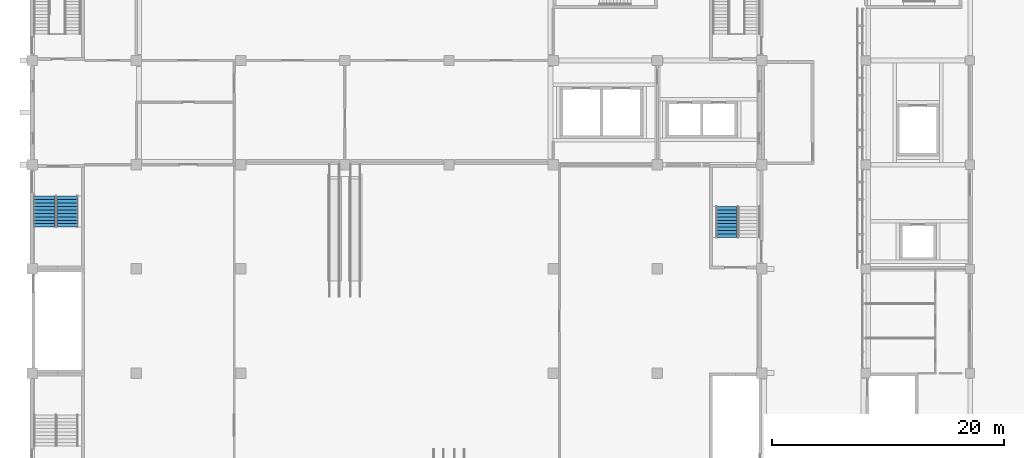
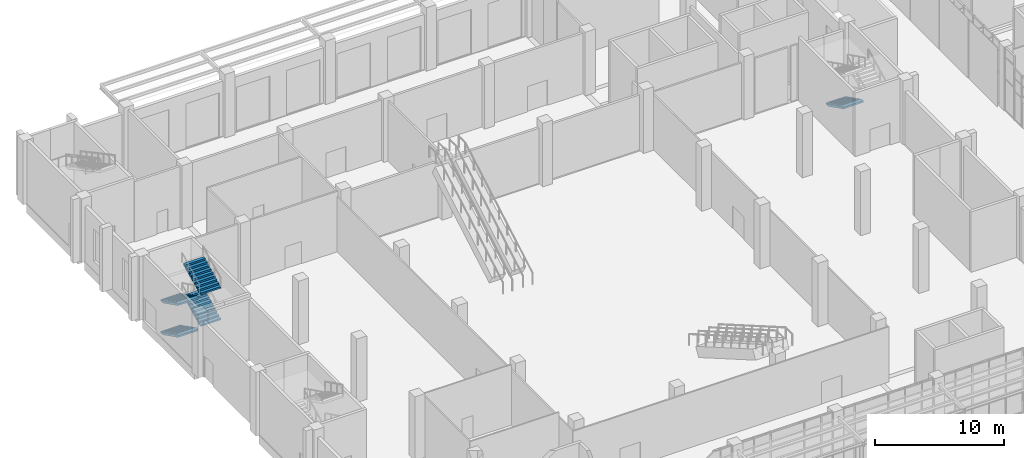
# One storey, part 71 of 86: 5 stair flights, 2 elements without a shape of their own.
"""IFC4 building model written with IfcOpenShell, lengths in metres."""

from ifc_helpers import new_model, si_unit, direction, frame, origin, place, context, subcontext, project, spatial, faceted_brep, material, type_object, element, aggregate, save


model = new_model("IFC4")

# Units and contexts
model_context = context("Model", 3, precision=1e-05, world=origin(), true_north=direction((0.0, 1.0)))
body_context = subcontext(model_context, "Body", "Model", "MODEL_VIEW")
ifc_project = project(units=[si_unit("LENGTHUNIT", "METRE"), si_unit("AREAUNIT", "SQUARE_METRE"), si_unit("VOLUMEUNIT", "CUBIC_METRE"), si_unit("PLANEANGLEUNIT", "RADIAN"), si_unit("MASSUNIT", "GRAM", prefix="KILO")], contexts=[model_context])

# Site, building, storey
site_placement = place(None, origin())
site = spatial("IfcSite", under=ifc_project, at=site_placement, CompositionType="ELEMENT")
building_placement = place(site_placement, origin())
building = spatial("IfcBuilding", under=site, at=building_placement, Name="Guidao Yard Department Store", CompositionType="ELEMENT")
storey_placement = place(building_placement, origin())
storey = spatial("IfcBuildingStorey", under=building, at=storey_placement, Name="L00", CompositionType="ELEMENT", Elevation=0.0)

# Stair, stair flights
ifc_material_1 = material(Name="Concrete C35", Category="concrete")
stair_type = type_object("IfcStairType", Name="Stair double-return four-flight 1800 wide 6.0 m rise", PredefinedType="DOUBLE_RETURN_STAIR", material=ifc_material_1)
stair_1_placement = place(storey_placement, origin())
stair_1 = element("IfcStair", 1, at=stair_1_placement, inside=storey, type_object=stair_type, Name="Stair A3 L00 to L01", PredefinedType="DOUBLE_RETURN_STAIR")
ifc_material_2 = material(Name="Concrete C35", Category="concrete")
stair_flight_type = type_object("IfcStairFlightType", Name="Stair flight RC straight 1800 wide 10 risers x 300 going C35", PredefinedType="STRAIGHT", material=ifc_material_2)
stair_flight_1_placement = place(storey_placement, frame((1.02490234375, 87.300048828125, 0.0), z_axis=(0.0, 0.0, 1.0), x_axis=(0.0, -1.0, 0.0)))
stair_flight_1 = element("IfcStairFlight", 2, at=stair_flight_1_placement, type_object=stair_flight_type, Name="SA3-L00 flight 1", NumberOfRisers=10, NumberOfTreads=9, PredefinedType="STRAIGHT", RiserHeight=0.15, TreadLength=0.3, context=body_context, shape_type="Brep", body=[
    faceted_brep([(0.0, 0.89990234375, 0.0), (0.0, 0.89990234375, 0.14990234375), (0.300048828125, 0.89990234375, 0.14990234375), (0.300048828125, 0.89990234375, 0.300048828125), (0.60009765625, 0.89990234375, 0.300048828125), (0.60009765625, 0.89990234375, 0.449951171875), (0.89990234375, 0.89990234375, 0.449951171875), (0.89990234375, 0.89990234375, 0.60009765625), (1.199951171875, 0.89990234375, 0.60009765625), (1.199951171875, 0.89990234375, 0.75), (1.5, 0.89990234375, 0.75), (1.5, 0.89990234375, 0.89990234375), (1.800048828125, 0.89990234375, 0.89990234375), (1.800048828125, 0.89990234375, 1.050048828125), (2.10009765625, 0.89990234375, 1.050048828125), (2.10009765625, 0.89990234375, 1.199951171875), (2.39990234375, 0.89990234375, 1.199951171875), (2.39990234375, 0.89990234375, 1.35009765625), (2.699951171875, 0.89990234375, 1.35009765625), (2.699951171875, 0.89990234375, 1.182373046875), (0.335205078125, 0.89990234375, 0.0), (0.335205078125, -0.89990234375, 0.0), (2.699951171875, -0.89990234375, 1.182373046875), (2.699951171875, -0.89990234375, 1.35009765625), (2.39990234375, -0.89990234375, 1.35009765625), (2.39990234375, -0.89990234375, 1.199951171875), (2.10009765625, -0.89990234375, 1.199951171875), (2.10009765625, -0.89990234375, 1.050048828125), (1.800048828125, -0.89990234375, 1.050048828125), (1.800048828125, -0.89990234375, 0.89990234375), (1.5, -0.89990234375, 0.89990234375), (1.5, -0.89990234375, 0.75), (1.199951171875, -0.89990234375, 0.75), (1.199951171875, -0.89990234375, 0.60009765625), (0.89990234375, -0.89990234375, 0.60009765625), (0.89990234375, -0.89990234375, 0.449951171875), (0.60009765625, -0.89990234375, 0.449951171875), (0.60009765625, -0.89990234375, 0.300048828125), (0.300048828125, -0.89990234375, 0.300048828125), (0.300048828125, -0.89990234375, 0.14990234375), (0.0, -0.89990234375, 0.14990234375), (0.0, -0.89990234375, 0.0), (0.0, 0.300048828125, 0.0), (0.0, 0.300048828125, 0.14990234375), (0.0, -0.300048828125, 0.0), (0.0, -0.300048828125, 0.14990234375), (0.300048828125, 0.300048828125, 0.14990234375), (0.300048828125, -0.300048828125, 0.14990234375), (0.300048828125, 0.300048828125, 0.300048828125), (0.300048828125, -0.300048828125, 0.300048828125), (0.60009765625, 0.300048828125, 0.300048828125), (0.60009765625, -0.300048828125, 0.300048828125), (0.60009765625, 0.300048828125, 0.449951171875), (0.60009765625, -0.300048828125, 0.449951171875), (0.89990234375, 0.300048828125, 0.449951171875), (0.89990234375, -0.300048828125, 0.449951171875), (0.89990234375, 0.300048828125, 0.60009765625), (0.89990234375, -0.300048828125, 0.60009765625), (1.199951171875, 0.300048828125, 0.60009765625), (1.199951171875, -0.300048828125, 0.60009765625), (1.199951171875, 0.300048828125, 0.75), (1.199951171875, -0.300048828125, 0.75), (1.5, 0.300048828125, 0.75), (1.5, -0.300048828125, 0.75), (1.5, 0.300048828125, 0.89990234375), (1.5, -0.300048828125, 0.89990234375), (1.800048828125, 0.300048828125, 0.89990234375), (1.800048828125, -0.300048828125, 0.89990234375), (1.800048828125, 0.300048828125, 1.050048828125), (1.800048828125, -0.300048828125, 1.050048828125), (2.10009765625, 0.300048828125, 1.050048828125), (2.10009765625, -0.300048828125, 1.050048828125), (2.10009765625, 0.300048828125, 1.199951171875), (2.10009765625, -0.300048828125, 1.199951171875), (2.39990234375, 0.300048828125, 1.199951171875), (2.39990234375, -0.300048828125, 1.199951171875), (2.39990234375, 0.300048828125, 1.35009765625), (2.39990234375, -0.300048828125, 1.35009765625), (2.699951171875, 0.300048828125, 1.35009765625), (2.699951171875, -0.300048828125, 1.35009765625), (2.699951171875, 0.300048828125, 1.182373046875), (2.699951171875, -0.300048828125, 1.182373046875), (0.335205078125, 0.300048828125, 0.0), (0.335205078125, -0.300048828125, 0.0)], [[[0, 1, 2, 3, 4, 5, 6, 7, 8, 9, 10, 11, 12, 13, 14, 15, 16, 17, 18, 19, 20]], [[21, 22, 23, 24, 25, 26, 27, 28, 29, 30, 31, 32, 33, 34, 35, 36, 37, 38, 39, 40, 41]], [[42, 43, 1, 0]], [[44, 45, 43, 42]], [[41, 40, 45, 44]], [[43, 46, 2, 1]], [[45, 47, 46, 43]], [[40, 39, 47, 45]], [[46, 48, 3, 2]], [[47, 49, 48, 46]], [[39, 38, 49, 47]], [[48, 50, 4, 3]], [[49, 51, 50, 48]], [[38, 37, 51, 49]], [[50, 52, 5, 4]], [[51, 53, 52, 50]], [[37, 36, 53, 51]], [[52, 54, 6, 5]], [[53, 55, 54, 52]], [[36, 35, 55, 53]], [[54, 56, 7, 6]], [[55, 57, 56, 54]], [[35, 34, 57, 55]], [[56, 58, 8, 7]], [[57, 59, 58, 56]], [[34, 33, 59, 57]], [[58, 60, 9, 8]], [[59, 61, 60, 58]], [[33, 32, 61, 59]], [[60, 62, 10, 9]], [[61, 63, 62, 60]], [[32, 31, 63, 61]], [[62, 64, 11, 10]], [[63, 65, 64, 62]], [[31, 30, 65, 63]], [[64, 66, 12, 11]], [[65, 67, 66, 64]], [[30, 29, 67, 65]], [[66, 68, 13, 12]], [[67, 69, 68, 66]], [[29, 28, 69, 67]], [[68, 70, 14, 13]], [[69, 71, 70, 68]], [[28, 27, 71, 69]], [[70, 72, 15, 14]], [[71, 73, 72, 70]], [[27, 26, 73, 71]], [[72, 74, 16, 15]], [[73, 75, 74, 72]], [[26, 25, 75, 73]], [[74, 76, 17, 16]], [[75, 77, 76, 74]], [[25, 24, 77, 75]], [[76, 78, 18, 17]], [[77, 79, 78, 76]], [[24, 23, 79, 77]], [[78, 80, 19, 18]], [[79, 81, 80, 78]], [[23, 22, 81, 79]], [[80, 82, 20, 19]], [[81, 83, 82, 80]], [[22, 21, 83, 81]], [[82, 42, 0, 20]], [[83, 44, 42, 82]], [[21, 41, 44, 83]]]),
])
stair_flight_2_placement = place(storey_placement, frame((3.074951171875, 84.60009765625, 1.5), z_axis=(0.0, 0.0, 1.0), x_axis=(0.0, 1.0, 0.0)))
stair_flight_2 = element("IfcStairFlight", 3, at=stair_flight_2_placement, type_object=stair_flight_type, Name="SA3-L00 flight 2", NumberOfRisers=10, NumberOfTreads=9, PredefinedType="STRAIGHT", RiserHeight=0.15, TreadLength=0.3, context=body_context, shape_type="Brep", body=[
    faceted_brep([(0.0, 0.89990234375, 0.0), (0.0, 0.89990234375, 0.14990234375), (0.300048828125, 0.89990234375, 0.14990234375), (0.300048828125, 0.89990234375, 0.300048828125), (0.60009765625, 0.89990234375, 0.300048828125), (0.60009765625, 0.89990234375, 0.449951171875), (0.89990234375, 0.89990234375, 0.449951171875), (0.89990234375, 0.89990234375, 0.60009765625), (1.199951171875, 0.89990234375, 0.60009765625), (1.199951171875, 0.89990234375, 0.75), (1.5, 0.89990234375, 0.75), (1.5, 0.89990234375, 0.89990234375), (1.800048828125, 0.89990234375, 0.89990234375), (1.800048828125, 0.89990234375, 1.050048828125), (2.10009765625, 0.89990234375, 1.050048828125), (2.10009765625, 0.89990234375, 1.199951171875), (2.39990234375, 0.89990234375, 1.199951171875), (2.39990234375, 0.89990234375, 1.35009765625), (2.699951171875, 0.89990234375, 1.35009765625), (2.699951171875, 0.89990234375, 1.182373046875), (0.335205078125, 0.89990234375, 0.0), (0.335205078125, -0.89990234375, 0.0), (2.699951171875, -0.89990234375, 1.182373046875), (2.699951171875, -0.89990234375, 1.35009765625), (2.39990234375, -0.89990234375, 1.35009765625), (2.39990234375, -0.89990234375, 1.199951171875), (2.10009765625, -0.89990234375, 1.199951171875), (2.10009765625, -0.89990234375, 1.050048828125), (1.800048828125, -0.89990234375, 1.050048828125), (1.800048828125, -0.89990234375, 0.89990234375), (1.5, -0.89990234375, 0.89990234375), (1.5, -0.89990234375, 0.75), (1.199951171875, -0.89990234375, 0.75), (1.199951171875, -0.89990234375, 0.60009765625), (0.89990234375, -0.89990234375, 0.60009765625), (0.89990234375, -0.89990234375, 0.449951171875), (0.60009765625, -0.89990234375, 0.449951171875), (0.60009765625, -0.89990234375, 0.300048828125), (0.300048828125, -0.89990234375, 0.300048828125), (0.300048828125, -0.89990234375, 0.14990234375), (0.0, -0.89990234375, 0.14990234375), (0.0, -0.89990234375, 0.0), (0.0, 0.300048828125, 0.0), (0.0, 0.300048828125, 0.14990234375), (0.0, -0.300048828125, 0.0), (0.0, -0.300048828125, 0.14990234375), (0.300048828125, 0.300048828125, 0.14990234375), (0.300048828125, -0.300048828125, 0.14990234375), (0.300048828125, 0.300048828125, 0.300048828125), (0.300048828125, -0.300048828125, 0.300048828125), (0.60009765625, 0.300048828125, 0.300048828125), (0.60009765625, -0.300048828125, 0.300048828125), (0.60009765625, 0.300048828125, 0.449951171875), (0.60009765625, -0.300048828125, 0.449951171875), (0.89990234375, 0.300048828125, 0.449951171875), (0.89990234375, -0.300048828125, 0.449951171875), (0.89990234375, 0.300048828125, 0.60009765625), (0.89990234375, -0.300048828125, 0.60009765625), (1.199951171875, 0.300048828125, 0.60009765625), (1.199951171875, -0.300048828125, 0.60009765625), (1.199951171875, 0.300048828125, 0.75), (1.199951171875, -0.300048828125, 0.75), (1.5, 0.300048828125, 0.75), (1.5, -0.300048828125, 0.75), (1.5, 0.300048828125, 0.89990234375), (1.5, -0.300048828125, 0.89990234375), (1.800048828125, 0.300048828125, 0.89990234375), (1.800048828125, -0.300048828125, 0.89990234375), (1.800048828125, 0.300048828125, 1.050048828125), (1.800048828125, -0.300048828125, 1.050048828125), (2.10009765625, 0.300048828125, 1.050048828125), (2.10009765625, -0.300048828125, 1.050048828125), (2.10009765625, 0.300048828125, 1.199951171875), (2.10009765625, -0.300048828125, 1.199951171875), (2.39990234375, 0.300048828125, 1.199951171875), (2.39990234375, -0.300048828125, 1.199951171875), (2.39990234375, 0.300048828125, 1.35009765625), (2.39990234375, -0.300048828125, 1.35009765625), (2.699951171875, 0.300048828125, 1.35009765625), (2.699951171875, -0.300048828125, 1.35009765625), (2.699951171875, 0.300048828125, 1.182373046875), (2.699951171875, -0.300048828125, 1.182373046875), (0.335205078125, 0.300048828125, 0.0), (0.335205078125, -0.300048828125, 0.0)], [[[0, 1, 2, 3, 4, 5, 6, 7, 8, 9, 10, 11, 12, 13, 14, 15, 16, 17, 18, 19, 20]], [[21, 22, 23, 24, 25, 26, 27, 28, 29, 30, 31, 32, 33, 34, 35, 36, 37, 38, 39, 40, 41]], [[42, 43, 1, 0]], [[44, 45, 43, 42]], [[41, 40, 45, 44]], [[43, 46, 2, 1]], [[45, 47, 46, 43]], [[40, 39, 47, 45]], [[46, 48, 3, 2]], [[47, 49, 48, 46]], [[39, 38, 49, 47]], [[48, 50, 4, 3]], [[49, 51, 50, 48]], [[38, 37, 51, 49]], [[50, 52, 5, 4]], [[51, 53, 52, 50]], [[37, 36, 53, 51]], [[52, 54, 6, 5]], [[53, 55, 54, 52]], [[36, 35, 55, 53]], [[54, 56, 7, 6]], [[55, 57, 56, 54]], [[35, 34, 57, 55]], [[56, 58, 8, 7]], [[57, 59, 58, 56]], [[34, 33, 59, 57]], [[58, 60, 9, 8]], [[59, 61, 60, 58]], [[33, 32, 61, 59]], [[60, 62, 10, 9]], [[61, 63, 62, 60]], [[32, 31, 63, 61]], [[62, 64, 11, 10]], [[63, 65, 64, 62]], [[31, 30, 65, 63]], [[64, 66, 12, 11]], [[65, 67, 66, 64]], [[30, 29, 67, 65]], [[66, 68, 13, 12]], [[67, 69, 68, 66]], [[29, 28, 69, 67]], [[68, 70, 14, 13]], [[69, 71, 70, 68]], [[28, 27, 71, 69]], [[70, 72, 15, 14]], [[71, 73, 72, 70]], [[27, 26, 73, 71]], [[72, 74, 16, 15]], [[73, 75, 74, 72]], [[26, 25, 75, 73]], [[74, 76, 17, 16]], [[75, 77, 76, 74]], [[25, 24, 77, 75]], [[76, 78, 18, 17]], [[77, 79, 78, 76]], [[24, 23, 79, 77]], [[78, 80, 19, 18]], [[79, 81, 80, 78]], [[23, 22, 81, 79]], [[80, 82, 20, 19]], [[81, 83, 82, 80]], [[22, 21, 83, 81]], [[82, 42, 0, 20]], [[83, 44, 42, 82]], [[21, 41, 44, 83]]]),
])
stair_flight_3_placement = place(storey_placement, frame((1.02490234375, 87.300048828125, 3.0), z_axis=(0.0, 0.0, 1.0), x_axis=(0.0, -1.0, 0.0)))
stair_flight_3 = element("IfcStairFlight", 4, at=stair_flight_3_placement, type_object=stair_flight_type, Name="SA3-L00 flight 3", NumberOfRisers=10, NumberOfTreads=9, PredefinedType="STRAIGHT", RiserHeight=0.15, TreadLength=0.3, context=body_context, shape_type="Brep", body=[
    faceted_brep([(0.0, 0.89990234375, 0.0), (0.0, 0.89990234375, 0.14990234375), (0.300048828125, 0.89990234375, 0.14990234375), (0.300048828125, 0.89990234375, 0.300048828125), (0.60009765625, 0.89990234375, 0.300048828125), (0.60009765625, 0.89990234375, 0.449951171875), (0.89990234375, 0.89990234375, 0.449951171875), (0.89990234375, 0.89990234375, 0.60009765625), (1.199951171875, 0.89990234375, 0.60009765625), (1.199951171875, 0.89990234375, 0.75), (1.5, 0.89990234375, 0.75), (1.5, 0.89990234375, 0.89990234375), (1.800048828125, 0.89990234375, 0.89990234375), (1.800048828125, 0.89990234375, 1.050048828125), (2.10009765625, 0.89990234375, 1.050048828125), (2.10009765625, 0.89990234375, 1.199951171875), (2.39990234375, 0.89990234375, 1.199951171875), (2.39990234375, 0.89990234375, 1.35009765625), (2.699951171875, 0.89990234375, 1.35009765625), (2.699951171875, 0.89990234375, 1.182373046875), (0.335205078125, 0.89990234375, 0.0), (0.335205078125, -0.89990234375, 0.0), (2.699951171875, -0.89990234375, 1.182373046875), (2.699951171875, -0.89990234375, 1.35009765625), (2.39990234375, -0.89990234375, 1.35009765625), (2.39990234375, -0.89990234375, 1.199951171875), (2.10009765625, -0.89990234375, 1.199951171875), (2.10009765625, -0.89990234375, 1.050048828125), (1.800048828125, -0.89990234375, 1.050048828125), (1.800048828125, -0.89990234375, 0.89990234375), (1.5, -0.89990234375, 0.89990234375), (1.5, -0.89990234375, 0.75), (1.199951171875, -0.89990234375, 0.75), (1.199951171875, -0.89990234375, 0.60009765625), (0.89990234375, -0.89990234375, 0.60009765625), (0.89990234375, -0.89990234375, 0.449951171875), (0.60009765625, -0.89990234375, 0.449951171875), (0.60009765625, -0.89990234375, 0.300048828125), (0.300048828125, -0.89990234375, 0.300048828125), (0.300048828125, -0.89990234375, 0.14990234375), (0.0, -0.89990234375, 0.14990234375), (0.0, -0.89990234375, 0.0), (0.0, 0.300048828125, 0.0), (0.0, 0.300048828125, 0.14990234375), (0.0, -0.300048828125, 0.0), (0.0, -0.300048828125, 0.14990234375), (0.300048828125, 0.300048828125, 0.14990234375), (0.300048828125, -0.300048828125, 0.14990234375), (0.300048828125, 0.300048828125, 0.300048828125), (0.300048828125, -0.300048828125, 0.300048828125), (0.60009765625, 0.300048828125, 0.300048828125), (0.60009765625, -0.300048828125, 0.300048828125), (0.60009765625, 0.300048828125, 0.449951171875), (0.60009765625, -0.300048828125, 0.449951171875), (0.89990234375, 0.300048828125, 0.449951171875), (0.89990234375, -0.300048828125, 0.449951171875), (0.89990234375, 0.300048828125, 0.60009765625), (0.89990234375, -0.300048828125, 0.60009765625), (1.199951171875, 0.300048828125, 0.60009765625), (1.199951171875, -0.300048828125, 0.60009765625), (1.199951171875, 0.300048828125, 0.75), (1.199951171875, -0.300048828125, 0.75), (1.5, 0.300048828125, 0.75), (1.5, -0.300048828125, 0.75), (1.5, 0.300048828125, 0.89990234375), (1.5, -0.300048828125, 0.89990234375), (1.800048828125, 0.300048828125, 0.89990234375), (1.800048828125, -0.300048828125, 0.89990234375), (1.800048828125, 0.300048828125, 1.050048828125), (1.800048828125, -0.300048828125, 1.050048828125), (2.10009765625, 0.300048828125, 1.050048828125), (2.10009765625, -0.300048828125, 1.050048828125), (2.10009765625, 0.300048828125, 1.199951171875), (2.10009765625, -0.300048828125, 1.199951171875), (2.39990234375, 0.300048828125, 1.199951171875), (2.39990234375, -0.300048828125, 1.199951171875), (2.39990234375, 0.300048828125, 1.35009765625), (2.39990234375, -0.300048828125, 1.35009765625), (2.699951171875, 0.300048828125, 1.35009765625), (2.699951171875, -0.300048828125, 1.35009765625), (2.699951171875, 0.300048828125, 1.182373046875), (2.699951171875, -0.300048828125, 1.182373046875), (0.335205078125, 0.300048828125, 0.0), (0.335205078125, -0.300048828125, 0.0)], [[[0, 1, 2, 3, 4, 5, 6, 7, 8, 9, 10, 11, 12, 13, 14, 15, 16, 17, 18, 19, 20]], [[21, 22, 23, 24, 25, 26, 27, 28, 29, 30, 31, 32, 33, 34, 35, 36, 37, 38, 39, 40, 41]], [[42, 43, 1, 0]], [[44, 45, 43, 42]], [[41, 40, 45, 44]], [[43, 46, 2, 1]], [[45, 47, 46, 43]], [[40, 39, 47, 45]], [[46, 48, 3, 2]], [[47, 49, 48, 46]], [[39, 38, 49, 47]], [[48, 50, 4, 3]], [[49, 51, 50, 48]], [[38, 37, 51, 49]], [[50, 52, 5, 4]], [[51, 53, 52, 50]], [[37, 36, 53, 51]], [[52, 54, 6, 5]], [[53, 55, 54, 52]], [[36, 35, 55, 53]], [[54, 56, 7, 6]], [[55, 57, 56, 54]], [[35, 34, 57, 55]], [[56, 58, 8, 7]], [[57, 59, 58, 56]], [[34, 33, 59, 57]], [[58, 60, 9, 8]], [[59, 61, 60, 58]], [[33, 32, 61, 59]], [[60, 62, 10, 9]], [[61, 63, 62, 60]], [[32, 31, 63, 61]], [[62, 64, 11, 10]], [[63, 65, 64, 62]], [[31, 30, 65, 63]], [[64, 66, 12, 11]], [[65, 67, 66, 64]], [[30, 29, 67, 65]], [[66, 68, 13, 12]], [[67, 69, 68, 66]], [[29, 28, 69, 67]], [[68, 70, 14, 13]], [[69, 71, 70, 68]], [[28, 27, 71, 69]], [[70, 72, 15, 14]], [[71, 73, 72, 70]], [[27, 26, 73, 71]], [[72, 74, 16, 15]], [[73, 75, 74, 72]], [[26, 25, 75, 73]], [[74, 76, 17, 16]], [[75, 77, 76, 74]], [[25, 24, 77, 75]], [[76, 78, 18, 17]], [[77, 79, 78, 76]], [[24, 23, 79, 77]], [[78, 80, 19, 18]], [[79, 81, 80, 78]], [[23, 22, 81, 79]], [[80, 82, 20, 19]], [[81, 83, 82, 80]], [[22, 21, 83, 81]], [[82, 42, 0, 20]], [[83, 44, 42, 82]], [[21, 41, 44, 83]]]),
])
stair_flight_4_placement = place(storey_placement, frame((3.074951171875, 84.60009765625, 4.5), z_axis=(0.0, 0.0, 1.0), x_axis=(0.0, 1.0, 0.0)))
stair_flight_4 = element("IfcStairFlight", 5, at=stair_flight_4_placement, type_object=stair_flight_type, Name="SA3-L00 flight 4", NumberOfRisers=10, NumberOfTreads=9, PredefinedType="STRAIGHT", RiserHeight=0.15, TreadLength=0.3, context=body_context, shape_type="Brep", body=[
    faceted_brep([(0.0, 0.89990234375, 0.0), (0.0, 0.89990234375, 0.14990234375), (0.300048828125, 0.89990234375, 0.14990234375), (0.300048828125, 0.89990234375, 0.300048828125), (0.60009765625, 0.89990234375, 0.300048828125), (0.60009765625, 0.89990234375, 0.449951171875), (0.89990234375, 0.89990234375, 0.449951171875), (0.89990234375, 0.89990234375, 0.60009765625), (1.199951171875, 0.89990234375, 0.60009765625), (1.199951171875, 0.89990234375, 0.75), (1.5, 0.89990234375, 0.75), (1.5, 0.89990234375, 0.89990234375), (1.800048828125, 0.89990234375, 0.89990234375), (1.800048828125, 0.89990234375, 1.050048828125), (2.10009765625, 0.89990234375, 1.050048828125), (2.10009765625, 0.89990234375, 1.199951171875), (2.39990234375, 0.89990234375, 1.199951171875), (2.39990234375, 0.89990234375, 1.35009765625), (2.699951171875, 0.89990234375, 1.35009765625), (2.699951171875, 0.89990234375, 1.182373046875), (0.335205078125, 0.89990234375, 0.0), (0.335205078125, -0.89990234375, 0.0), (2.699951171875, -0.89990234375, 1.182373046875), (2.699951171875, -0.89990234375, 1.35009765625), (2.39990234375, -0.89990234375, 1.35009765625), (2.39990234375, -0.89990234375, 1.199951171875), (2.10009765625, -0.89990234375, 1.199951171875), (2.10009765625, -0.89990234375, 1.050048828125), (1.800048828125, -0.89990234375, 1.050048828125), (1.800048828125, -0.89990234375, 0.89990234375), (1.5, -0.89990234375, 0.89990234375), (1.5, -0.89990234375, 0.75), (1.199951171875, -0.89990234375, 0.75), (1.199951171875, -0.89990234375, 0.60009765625), (0.89990234375, -0.89990234375, 0.60009765625), (0.89990234375, -0.89990234375, 0.449951171875), (0.60009765625, -0.89990234375, 0.449951171875), (0.60009765625, -0.89990234375, 0.300048828125), (0.300048828125, -0.89990234375, 0.300048828125), (0.300048828125, -0.89990234375, 0.14990234375), (0.0, -0.89990234375, 0.14990234375), (0.0, -0.89990234375, 0.0), (0.0, 0.300048828125, 0.0), (0.0, 0.300048828125, 0.14990234375), (0.0, -0.300048828125, 0.0), (0.0, -0.300048828125, 0.14990234375), (0.300048828125, 0.300048828125, 0.14990234375), (0.300048828125, -0.300048828125, 0.14990234375), (0.300048828125, 0.300048828125, 0.300048828125), (0.300048828125, -0.300048828125, 0.300048828125), (0.60009765625, 0.300048828125, 0.300048828125), (0.60009765625, -0.300048828125, 0.300048828125), (0.60009765625, 0.300048828125, 0.449951171875), (0.60009765625, -0.300048828125, 0.449951171875), (0.89990234375, 0.300048828125, 0.449951171875), (0.89990234375, -0.300048828125, 0.449951171875), (0.89990234375, 0.300048828125, 0.60009765625), (0.89990234375, -0.300048828125, 0.60009765625), (1.199951171875, 0.300048828125, 0.60009765625), (1.199951171875, -0.300048828125, 0.60009765625), (1.199951171875, 0.300048828125, 0.75), (1.199951171875, -0.300048828125, 0.75), (1.5, 0.300048828125, 0.75), (1.5, -0.300048828125, 0.75), (1.5, 0.300048828125, 0.89990234375), (1.5, -0.300048828125, 0.89990234375), (1.800048828125, 0.300048828125, 0.89990234375), (1.800048828125, -0.300048828125, 0.89990234375), (1.800048828125, 0.300048828125, 1.050048828125), (1.800048828125, -0.300048828125, 1.050048828125), (2.10009765625, 0.300048828125, 1.050048828125), (2.10009765625, -0.300048828125, 1.050048828125), (2.10009765625, 0.300048828125, 1.199951171875), (2.10009765625, -0.300048828125, 1.199951171875), (2.39990234375, 0.300048828125, 1.199951171875), (2.39990234375, -0.300048828125, 1.199951171875), (2.39990234375, 0.300048828125, 1.35009765625), (2.39990234375, -0.300048828125, 1.35009765625), (2.699951171875, 0.300048828125, 1.35009765625), (2.699951171875, -0.300048828125, 1.35009765625), (2.699951171875, 0.300048828125, 1.182373046875), (2.699951171875, -0.300048828125, 1.182373046875), (0.335205078125, 0.300048828125, 0.0), (0.335205078125, -0.300048828125, 0.0)], [[[0, 1, 2, 3, 4, 5, 6, 7, 8, 9, 10, 11, 12, 13, 14, 15, 16, 17, 18, 19, 20]], [[21, 22, 23, 24, 25, 26, 27, 28, 29, 30, 31, 32, 33, 34, 35, 36, 37, 38, 39, 40, 41]], [[42, 43, 1, 0]], [[44, 45, 43, 42]], [[41, 40, 45, 44]], [[43, 46, 2, 1]], [[45, 47, 46, 43]], [[40, 39, 47, 45]], [[46, 48, 3, 2]], [[47, 49, 48, 46]], [[39, 38, 49, 47]], [[48, 50, 4, 3]], [[49, 51, 50, 48]], [[38, 37, 51, 49]], [[50, 52, 5, 4]], [[51, 53, 52, 50]], [[37, 36, 53, 51]], [[52, 54, 6, 5]], [[53, 55, 54, 52]], [[36, 35, 55, 53]], [[54, 56, 7, 6]], [[55, 57, 56, 54]], [[35, 34, 57, 55]], [[56, 58, 8, 7]], [[57, 59, 58, 56]], [[34, 33, 59, 57]], [[58, 60, 9, 8]], [[59, 61, 60, 58]], [[33, 32, 61, 59]], [[60, 62, 10, 9]], [[61, 63, 62, 60]], [[32, 31, 63, 61]], [[62, 64, 11, 10]], [[63, 65, 64, 62]], [[31, 30, 65, 63]], [[64, 66, 12, 11]], [[65, 67, 66, 64]], [[30, 29, 67, 65]], [[66, 68, 13, 12]], [[67, 69, 68, 66]], [[29, 28, 69, 67]], [[68, 70, 14, 13]], [[69, 71, 70, 68]], [[28, 27, 71, 69]], [[70, 72, 15, 14]], [[71, 73, 72, 70]], [[27, 26, 73, 71]], [[72, 74, 16, 15]], [[73, 75, 74, 72]], [[26, 25, 75, 73]], [[74, 76, 17, 16]], [[75, 77, 76, 74]], [[25, 24, 77, 75]], [[76, 78, 18, 17]], [[77, 79, 78, 76]], [[24, 23, 79, 77]], [[78, 80, 19, 18]], [[79, 81, 80, 78]], [[23, 22, 81, 79]], [[80, 82, 20, 19]], [[81, 83, 82, 80]], [[22, 21, 83, 81]], [[82, 42, 0, 20]], [[83, 44, 42, 82]], [[21, 41, 44, 83]]]),
])
aggregate(stair_1, [stair_flight_1, stair_flight_2, stair_flight_3, stair_flight_4])

# Stair, stair flight
stair_2_placement = place(storey_placement, origin())
stair_2 = element("IfcStair", 6, at=stair_2_placement, inside=storey, type_object=stair_type, Name="Stair A4 L00 to L01", PredefinedType="DOUBLE_RETURN_STAIR")
stair_flight_5_placement = place(storey_placement, frame((59.925048828125, 86.39990234375, 1.5), z_axis=(0.0, 0.0, 1.0), x_axis=(0.0, -1.0, 0.0)))
stair_flight_5 = element("IfcStairFlight", 7, at=stair_flight_5_placement, type_object=stair_flight_type, Name="SA4-L00 flight 2", NumberOfRisers=10, NumberOfTreads=9, PredefinedType="STRAIGHT", RiserHeight=0.15, TreadLength=0.3, context=body_context, shape_type="Brep", body=[
    faceted_brep([(0.0, 0.89990234375, 0.0), (0.0, 0.89990234375, 0.14990234375), (0.300048828125, 0.89990234375, 0.14990234375), (0.300048828125, 0.89990234375, 0.300048828125), (0.60009765625, 0.89990234375, 0.300048828125), (0.60009765625, 0.89990234375, 0.449951171875), (0.89990234375, 0.89990234375, 0.449951171875), (0.89990234375, 0.89990234375, 0.60009765625), (1.199951171875, 0.89990234375, 0.60009765625), (1.199951171875, 0.89990234375, 0.75), (1.5, 0.89990234375, 0.75), (1.5, 0.89990234375, 0.89990234375), (1.800048828125, 0.89990234375, 0.89990234375), (1.800048828125, 0.89990234375, 1.050048828125), (2.10009765625, 0.89990234375, 1.050048828125), (2.10009765625, 0.89990234375, 1.199951171875), (2.39990234375, 0.89990234375, 1.199951171875), (2.39990234375, 0.89990234375, 1.35009765625), (2.699951171875, 0.89990234375, 1.35009765625), (2.699951171875, 0.89990234375, 1.182373046875), (0.335205078125, 0.89990234375, 0.0), (0.335205078125, -0.89990234375, 0.0), (2.699951171875, -0.89990234375, 1.182373046875), (2.699951171875, -0.89990234375, 1.35009765625), (2.39990234375, -0.89990234375, 1.35009765625), (2.39990234375, -0.89990234375, 1.199951171875), (2.10009765625, -0.89990234375, 1.199951171875), (2.10009765625, -0.89990234375, 1.050048828125), (1.800048828125, -0.89990234375, 1.050048828125), (1.800048828125, -0.89990234375, 0.89990234375), (1.5, -0.89990234375, 0.89990234375), (1.5, -0.89990234375, 0.75), (1.199951171875, -0.89990234375, 0.75), (1.199951171875, -0.89990234375, 0.60009765625), (0.89990234375, -0.89990234375, 0.60009765625), (0.89990234375, -0.89990234375, 0.449951171875), (0.60009765625, -0.89990234375, 0.449951171875), (0.60009765625, -0.89990234375, 0.300048828125), (0.300048828125, -0.89990234375, 0.300048828125), (0.300048828125, -0.89990234375, 0.14990234375), (0.0, -0.89990234375, 0.14990234375), (0.0, -0.89990234375, 0.0), (0.0, 0.300048828125, 0.0), (0.0, 0.300048828125, 0.14990234375), (0.0, -0.300048828125, 0.0), (0.0, -0.300048828125, 0.14990234375), (0.300048828125, 0.300048828125, 0.14990234375), (0.300048828125, -0.300048828125, 0.14990234375), (0.300048828125, 0.300048828125, 0.300048828125), (0.300048828125, -0.300048828125, 0.300048828125), (0.60009765625, 0.300048828125, 0.300048828125), (0.60009765625, -0.300048828125, 0.300048828125), (0.60009765625, 0.300048828125, 0.449951171875), (0.60009765625, -0.300048828125, 0.449951171875), (0.89990234375, 0.300048828125, 0.449951171875), (0.89990234375, -0.300048828125, 0.449951171875), (0.89990234375, 0.300048828125, 0.60009765625), (0.89990234375, -0.300048828125, 0.60009765625), (1.199951171875, 0.300048828125, 0.60009765625), (1.199951171875, -0.300048828125, 0.60009765625), (1.199951171875, 0.300048828125, 0.75), (1.199951171875, -0.300048828125, 0.75), (1.5, 0.300048828125, 0.75), (1.5, -0.300048828125, 0.75), (1.5, 0.300048828125, 0.89990234375), (1.5, -0.300048828125, 0.89990234375), (1.800048828125, 0.300048828125, 0.89990234375), (1.800048828125, -0.300048828125, 0.89990234375), (1.800048828125, 0.300048828125, 1.050048828125), (1.800048828125, -0.300048828125, 1.050048828125), (2.10009765625, 0.300048828125, 1.050048828125), (2.10009765625, -0.300048828125, 1.050048828125), (2.10009765625, 0.300048828125, 1.199951171875), (2.10009765625, -0.300048828125, 1.199951171875), (2.39990234375, 0.300048828125, 1.199951171875), (2.39990234375, -0.300048828125, 1.199951171875), (2.39990234375, 0.300048828125, 1.35009765625), (2.39990234375, -0.300048828125, 1.35009765625), (2.699951171875, 0.300048828125, 1.35009765625), (2.699951171875, -0.300048828125, 1.35009765625), (2.699951171875, 0.300048828125, 1.182373046875), (2.699951171875, -0.300048828125, 1.182373046875), (0.335205078125, 0.300048828125, 0.0), (0.335205078125, -0.300048828125, 0.0)], [[[0, 1, 2, 3, 4, 5, 6, 7, 8, 9, 10, 11, 12, 13, 14, 15, 16, 17, 18, 19, 20]], [[21, 22, 23, 24, 25, 26, 27, 28, 29, 30, 31, 32, 33, 34, 35, 36, 37, 38, 39, 40, 41]], [[42, 43, 1, 0]], [[44, 45, 43, 42]], [[41, 40, 45, 44]], [[43, 46, 2, 1]], [[45, 47, 46, 43]], [[40, 39, 47, 45]], [[46, 48, 3, 2]], [[47, 49, 48, 46]], [[39, 38, 49, 47]], [[48, 50, 4, 3]], [[49, 51, 50, 48]], [[38, 37, 51, 49]], [[50, 52, 5, 4]], [[51, 53, 52, 50]], [[37, 36, 53, 51]], [[52, 54, 6, 5]], [[53, 55, 54, 52]], [[36, 35, 55, 53]], [[54, 56, 7, 6]], [[55, 57, 56, 54]], [[35, 34, 57, 55]], [[56, 58, 8, 7]], [[57, 59, 58, 56]], [[34, 33, 59, 57]], [[58, 60, 9, 8]], [[59, 61, 60, 58]], [[33, 32, 61, 59]], [[60, 62, 10, 9]], [[61, 63, 62, 60]], [[32, 31, 63, 61]], [[62, 64, 11, 10]], [[63, 65, 64, 62]], [[31, 30, 65, 63]], [[64, 66, 12, 11]], [[65, 67, 66, 64]], [[30, 29, 67, 65]], [[66, 68, 13, 12]], [[67, 69, 68, 66]], [[29, 28, 69, 67]], [[68, 70, 14, 13]], [[69, 71, 70, 68]], [[28, 27, 71, 69]], [[70, 72, 15, 14]], [[71, 73, 72, 70]], [[27, 26, 73, 71]], [[72, 74, 16, 15]], [[73, 75, 74, 72]], [[26, 25, 75, 73]], [[74, 76, 17, 16]], [[75, 77, 76, 74]], [[25, 24, 77, 75]], [[76, 78, 18, 17]], [[77, 79, 78, 76]], [[24, 23, 79, 77]], [[78, 80, 19, 18]], [[79, 81, 80, 78]], [[23, 22, 81, 79]], [[80, 82, 20, 19]], [[81, 83, 82, 80]], [[22, 21, 83, 81]], [[82, 42, 0, 20]], [[83, 44, 42, 82]], [[21, 41, 44, 83]]]),
])
aggregate(stair_2, [stair_flight_5])

save(model, "model.ifc")
